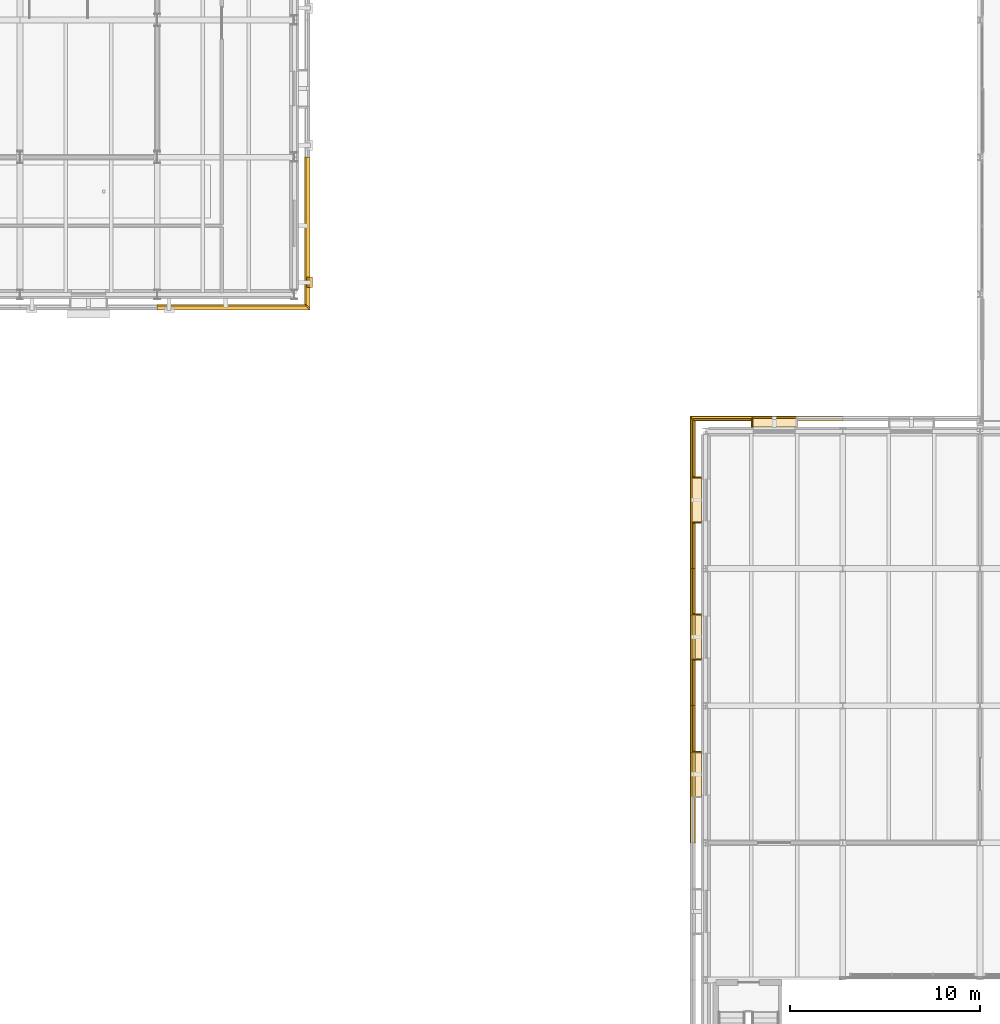
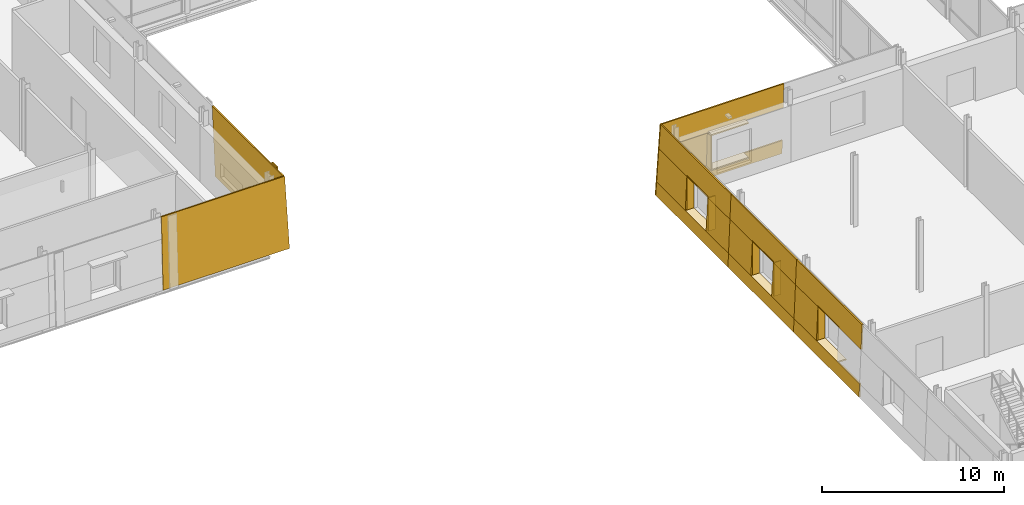
# One storey, part 107 of 121: 31 coverings.
"""IFC4 building model written with IfcOpenShell, lengths in metres."""

from ifc_helpers import new_model, si_unit, direction, frame, origin, place, context, subcontext, project, spatial, polyline, outline, extrude, material, layer, layer_set, type_object, element, save


model = new_model("IFC4")

# Units and contexts
model_context = context("Model", 3, precision=1e-05, world=origin(), true_north=direction((0.0, 1.0)))
body_context = subcontext(model_context, "Body", "Model", "MODEL_VIEW")
ifc_project = project(units=[si_unit("LENGTHUNIT", "METRE"), si_unit("AREAUNIT", "SQUARE_METRE"), si_unit("VOLUMEUNIT", "CUBIC_METRE"), si_unit("PLANEANGLEUNIT", "RADIAN"), si_unit("MASSUNIT", "GRAM", prefix="KILO")], contexts=[model_context])

# Site, building, storey
site_placement = place(None, origin())
site = spatial("IfcSite", under=ifc_project, at=site_placement, CompositionType="ELEMENT")
building_placement = place(site_placement, origin())
building = spatial("IfcBuilding", under=site, at=building_placement, Name="Narikvali Park Central Library", CompositionType="ELEMENT")
storey_placement = place(building_placement, frame((0.0, 0.0, 5.39990234375)))
storey = spatial("IfcBuildingStorey", under=building, at=storey_placement, Name="L01", CompositionType="ELEMENT", Elevation=5.39990234375)

# Coverings
ifc_material = material(Name="White Honed Limestone Cladding", Category="masonry")
ifc_layer_1 = layer(ifc_material, 0.0849609375, Name="White Honed Limestone Cladding")
ifc_layer_set_1 = layer_set([ifc_layer_1], Name="White Honed Limestone Cladding")
covering_type_1 = type_object("IfcCoveringType", Name="Battered White Limestone Facade Cladding Panel", PredefinedType="CLADDING", material=ifc_layer_set_1)
covering_1_placement = place(storey_placement, frame((93.60009765625, 56.781005859375, 0.0), z_axis=(0.0, -0.9991649228, 0.040858989773), x_axis=(1.0, 0.0, 0.0)))
element("IfcCovering", 1, at=covering_1_placement, inside=storey, type_object=covering_type_1, Name="V1 L01 S Battered Limestone Panel B05", PredefinedType="CLADDING", context=body_context, shape_type="SweptSolid", body=[
    extrude(outline(polyline([(0.0, 0.0), (8.018798828125, 0.0), (7.822509765625, 4.804060589588906), (0.0, 4.804060589588906), (0.0, 0.0)])), origin(), (0.0, 0.0, -1.0), 0.0849609375),
])
covering_2_placement = place(storey_placement, frame((101.759033203125, 57.949951171875, 0.0), z_axis=(0.999162846811, 0.0, 0.040909724413), x_axis=(0.0, 1.0, 0.0)))
element("IfcCovering", 2, at=covering_2_placement, inside=storey, type_object=covering_type_1, Name="V1 L01 E Classical Limestone Pilaster B01", PredefinedType="CLADDING", context=body_context, shape_type="SweptSolid", body=[
    extrude(outline(polyline([(0.0, 0.0), (0.550048828125, 0.0), (0.550048828125, 4.8040705711214065), (0.0, 4.8040705711214065), (0.0, 0.0)])), origin(), (0.0, 0.0, -1.0), 0.0849609375),
])
covering_3_placement = place(storey_placement, frame((101.618896484375, 56.865966796875, 0.0), z_axis=(0.9991649228, 0.0, 0.040858989773), x_axis=(0.0, 1.0, 0.0)))
element("IfcCovering", 3, at=covering_3_placement, inside=storey, type_object=covering_type_1, Name="V1 L01 E Battered Limestone Panel B01", PredefinedType="CLADDING", context=body_context, shape_type="SweptSolid", body=[
    extrude(outline(polyline([(0.0, 0.0), (7.93408203125, 0.0), (7.93408203125, 4.804060589588907), (0.196533203125, 4.804060589588907), (0.0, 0.0)])), origin(), (0.0, 0.0, -1.0), 0.0849609375),
])
covering_4_placement = place(storey_placement, frame((129.60009765625, 51.218994140625, 0.0), z_axis=(0.0, 0.999162409553, 0.040920402453), x_axis=(-1.0, 0.0, 0.0)))
element("IfcCovering", 4, at=covering_4_placement, inside=storey, type_object=covering_type_1, Name="V6 L01 N Battered Limestone Spandrel B06", PredefinedType="CLADDING", context=body_context, shape_type="SweptSolid", body=[
    extrude(outline(polyline([(0.0, 0.0), (8.01904296875, 0.0), (7.982177734375, 0.9009010705056333), (0.0, 0.9009010705056333), (0.0, 0.0)])), origin(), (0.0, 0.0, -1.0), 0.0849609375),
])
covering_5_placement = place(storey_placement, frame((129.60009765625, 51.090087890625, 3.150146484375), z_axis=(0.0, 0.999167069196, 0.040806468052), x_axis=(-1.0, 0.0, 0.0)))
element("IfcCovering", 5, at=covering_5_placement, inside=storey, type_object=covering_type_1, Name="V6 L01 N Battered Limestone Lintel B06", PredefinedType="CLADDING", context=body_context, shape_type="SweptSolid", body=[
    extrude(outline(polyline([(0.0, 0.0), (7.89013671875, 0.0), (7.82275390625, 1.651277743849336), (0.0, 1.651277743849336), (0.0, 0.0)])), origin(), (0.0, 0.0, -1.0), 0.0849609375),
])
covering_6_placement = place(storey_placement, frame((124.860107421875, 51.18212890625, 0.900146484375), z_axis=(0.0, 0.999164352475, 0.040872934124), x_axis=(-1.0, 0.0, 0.0)))
element("IfcCovering", 6, at=covering_6_placement, inside=storey, type_object=covering_type_1, Name="V6 L01 N Battered Limestone Jamb Pier R B06", PredefinedType="CLADDING", context=body_context, shape_type="SweptSolid", body=[
    extrude(outline(polyline([(0.0, 0.0), (3.2421875, 0.0), (3.150146484375, 2.2518817794363186), (0.0, 2.2518817794363186), (0.0, 0.0)])), origin(), (0.0, 0.0, -1.0), 0.0849609375),
])
covering_7_placement = place(storey_placement, frame((121.5810546875, 51.134033203125, 0.0), z_axis=(-0.999162409553, 0.0, 0.040920402453), x_axis=(0.0, -1.0, 0.0)))
element("IfcCovering", 7, at=covering_7_placement, inside=storey, type_object=covering_type_1, Name="V6 L01 W Battered Limestone Spandrel B01", PredefinedType="CLADDING", context=body_context, shape_type="SweptSolid", body=[
    extrude(outline(polyline([(0.0, 0.0), (7.93408203125, 0.0), (7.93408203125, 0.9009010705056333), (0.036865234375, 0.9009010705056333), (0.0, 0.0)])), origin(), (0.0, 0.0, -1.0), 0.0849609375),
])
covering_8_placement = place(storey_placement, frame((121.7099609375, 51.005126953125, 3.150146484375), z_axis=(-0.999167069196, 0.0, 0.040806468052), x_axis=(0.0, -1.0, 0.0)))
element("IfcCovering", 8, at=covering_8_placement, inside=storey, type_object=covering_type_1, Name="V6 L01 W Battered Limestone Lintel B01", PredefinedType="CLADDING", context=body_context, shape_type="SweptSolid", body=[
    extrude(outline(polyline([(0.0, 0.0), (7.80517578125, 0.0), (7.80517578125, 1.6512777438493358), (0.067626953125, 1.6512777438493358), (0.0, 0.0)])), origin(), (0.0, 0.0, -1.0), 0.0849609375),
])
covering_9_placement = place(storey_placement, frame((121.617919921875, 51.09716796875, 0.900146484375), z_axis=(-0.999164352475, 0.0, 0.040872934124), x_axis=(0.0, -1.0, 0.0)))
element("IfcCovering", 9, at=covering_9_placement, inside=storey, type_object=covering_type_1, Name="V6 L01 W Battered Limestone Jamb Pier L B01", PredefinedType="CLADDING", context=body_context, shape_type="SweptSolid", body=[
    extrude(outline(polyline([(0.0, 0.0), (3.1572265625, 0.0), (3.1572265625, 2.2518817794363186), (0.092041015625, 2.2518817794363186), (0.0, 0.0)])), origin(), (0.0, 0.0, -1.0), 0.0849609375),
])
covering_10_placement = place(storey_placement, frame((121.617919921875, 45.659912109375, 0.900146484375), z_axis=(-0.999164352475, 0.0, 0.040872934124), x_axis=(0.0, -1.0, 0.0)))
element("IfcCovering", 10, at=covering_10_placement, inside=storey, type_object=covering_type_1, Name="V6 L01 W Battered Limestone Jamb Pier R B01", PredefinedType="CLADDING", context=body_context, shape_type="SweptSolid", body=[
    extrude(outline(polyline([(0.0, 0.0), (2.4599609375, 0.0), (2.4599609375, 2.251881779436319), (0.0, 2.251881779436319), (0.0, 0.0)])), origin(), (0.0, 0.0, -1.0), 0.0849609375),
])
covering_11_placement = place(storey_placement, frame((121.5810546875, 43.199951171875, 0.0), z_axis=(-0.999162409553, 0.0, 0.040920402453), x_axis=(0.0, -1.0, 0.0)))
element("IfcCovering", 11, at=covering_11_placement, inside=storey, type_object=covering_type_1, Name="V6 L01 W Battered Limestone Spandrel B02", PredefinedType="CLADDING", context=body_context, shape_type="SweptSolid", body=[
    extrude(outline(polyline([(0.0, 0.0), (7.199951171875, 0.0), (7.199951171875, 0.9009010705056333), (0.0, 0.9009010705056333), (0.0, 0.0)])), origin(), (0.0, 0.0, -1.0), 0.0849609375),
])
covering_12_placement = place(storey_placement, frame((121.7099609375, 43.199951171875, 3.150146484375), z_axis=(-0.999167069196, 0.0, 0.040806468052), x_axis=(0.0, -1.0, 0.0)))
element("IfcCovering", 12, at=covering_12_placement, inside=storey, type_object=covering_type_1, Name="V6 L01 W Battered Limestone Lintel B02", PredefinedType="CLADDING", context=body_context, shape_type="SweptSolid", body=[
    extrude(outline(polyline([(0.0, 0.0), (7.199951171875, 0.0), (7.199951171875, 1.651277743849336), (0.0, 1.651277743849336), (0.0, 0.0)])), origin(), (0.0, 0.0, -1.0), 0.0849609375),
])
for number, where, z_axis, x_axis, name in (
    (13, (121.617919921875, 43.199951171875, 0.900146484375), (-0.999164352475, 0.0, 0.040872934124), (0.0, -1.0, 0.0), "V6 L01 W Battered Limestone Jamb Pier L B02"),
    (14, (121.617919921875, 38.4599609375, 0.900146484375), (-0.999164352475, 0.0, 0.040872934124), (0.0, -1.0, 0.0), "V6 L01 W Battered Limestone Jamb Pier R B02"),
):
    element("IfcCovering", number, at=place(storey_placement, frame(where, z_axis=z_axis, x_axis=x_axis)), inside=storey, type_object=covering_type_1, Name=name, PredefinedType="CLADDING", context=body_context, shape_type="SweptSolid", body=[
        extrude(outline(polyline([(0.0, 0.0), (2.4599609375, 0.0), (2.4599609375, 2.251881779436319), (0.0, 2.251881779436319), (0.0, 0.0)])), origin(), (0.0, 0.0, -1.0), 0.0849609375),
    ])
covering_13_placement = place(storey_placement, frame((121.5810546875, 36.0, 0.0), z_axis=(-0.999162409553, 0.0, 0.040920402453), x_axis=(0.0, -1.0, 0.0)))
element("IfcCovering", 15, at=covering_13_placement, inside=storey, type_object=covering_type_1, Name="V6 L01 W Battered Limestone Spandrel B03", PredefinedType="CLADDING", context=body_context, shape_type="SweptSolid", body=[
    extrude(outline(polyline([(0.0, 0.0), (7.199951171875, 0.0), (7.199951171875, 0.9009010705056333), (0.0, 0.9009010705056333), (0.0, 0.0)])), origin(), (0.0, 0.0, -1.0), 0.0849609375),
])
covering_14_placement = place(storey_placement, frame((121.7099609375, 36.0, 3.150146484375), z_axis=(-0.999167069196, 0.0, 0.040806468052), x_axis=(0.0, -1.0, 0.0)))
element("IfcCovering", 16, at=covering_14_placement, inside=storey, type_object=covering_type_1, Name="V6 L01 W Battered Limestone Lintel B03", PredefinedType="CLADDING", context=body_context, shape_type="SweptSolid", body=[
    extrude(outline(polyline([(0.0, 0.0), (7.199951171875, 0.0), (7.199951171875, 1.651277743849336), (0.0, 1.651277743849336), (0.0, 0.0)])), origin(), (0.0, 0.0, -1.0), 0.0849609375),
])
covering_15_placement = place(storey_placement, frame((121.617919921875, 36.0, 0.900146484375), z_axis=(-0.999164352475, 0.0, 0.040872934124), x_axis=(0.0, -1.0, 0.0)))
element("IfcCovering", 17, at=covering_15_placement, inside=storey, type_object=covering_type_1, Name="V6 L01 W Battered Limestone Jamb Pier L B03", PredefinedType="CLADDING", context=body_context, shape_type="SweptSolid", body=[
    extrude(outline(polyline([(0.0, 0.0), (2.4599609375, 0.0), (2.4599609375, 2.251881779436319), (0.0, 2.251881779436319), (0.0, 0.0)])), origin(), (0.0, 0.0, -1.0), 0.0849609375),
])
ifc_layer_2 = layer(ifc_material, 0.080078125, Name="White Honed Limestone Cladding")
ifc_layer_set_2 = layer_set([ifc_layer_2], Name="White Honed Limestone Cladding")
covering_type_2 = type_object("IfcCoveringType", Name="Deep Carved White Limestone Window Reveal", PredefinedType="CLADDING", material=ifc_layer_set_2)
covering_16_placement = place(storey_placement, frame((0.0, 0.0, 3.150146484375)))
element("IfcCovering", 18, at=covering_16_placement, inside=storey, type_object=covering_type_2, Name="Deep Stone Reveal Head V6-RVL-L01-N-B06", PredefinedType="CLADDING", context=body_context, shape_type="SweptSolid", body=[
    extrude(outline(polyline([(127.179931640625, 50.625), (124.820068359375, 50.625), (124.820068359375, 51.090087890625), (127.179931640625, 51.090087890625), (127.179931640625, 50.625)])), origin(), (0.0, 0.0, 1.0), 0.079833984375),
])
covering_17_placement = place(storey_placement, frame((0.0, 0.0, 0.820068359375)))
element("IfcCovering", 19, at=covering_17_placement, inside=storey, type_object=covering_type_2, Name="Deep Stone Reveal Sill V6-RVL-L01-N-B06", PredefinedType="CLADDING", context=body_context, shape_type="SweptSolid", body=[
    extrude(outline(polyline([(127.179931640625, 50.625), (124.820068359375, 50.625), (124.820068359375, 51.18212890625), (127.179931640625, 51.18212890625), (127.179931640625, 50.625)])), origin(), (0.0, 0.0, 1.0), 0.080078125),
])
covering_18_placement = place(storey_placement, frame((0.0, 0.0, 0.900146484375)))
element("IfcCovering", 20, at=covering_18_placement, inside=storey, type_object=covering_type_2, Name="Deep Stone Reveal Jamb R V6-RVL-L01-N-B06", PredefinedType="CLADDING", context=body_context, shape_type="SweptSolid", body=[
    extrude(outline(polyline([(124.860107421875, 50.625), (124.780029296875, 50.625), (124.780029296875, 51.090087890625), (124.860107421875, 51.090087890625), (124.860107421875, 50.625)])), origin(), (0.0, 0.0, 1.0), 2.25),
])
covering_19_placement = place(storey_placement, frame((0.0, 0.0, 3.150146484375)))
element("IfcCovering", 21, at=covering_19_placement, inside=storey, type_object=covering_type_2, Name="Deep Stone Reveal Head V6-RVL-L01-W-B01", PredefinedType="CLADDING", context=body_context, shape_type="SweptSolid", body=[
    extrude(outline(polyline([(122.175048828125, 47.97998046875), (122.175048828125, 45.6201171875), (121.7099609375, 45.6201171875), (121.7099609375, 47.97998046875), (122.175048828125, 47.97998046875)])), origin(), (0.0, 0.0, 1.0), 0.079833984375),
])
covering_20_placement = place(storey_placement, frame((0.0, 0.0, 0.820068359375)))
element("IfcCovering", 22, at=covering_20_placement, inside=storey, type_object=covering_type_2, Name="Deep Stone Reveal Sill V6-RVL-L01-W-B01", PredefinedType="CLADDING", context=body_context, shape_type="SweptSolid", body=[
    extrude(outline(polyline([(122.175048828125, 47.97998046875), (122.175048828125, 45.6201171875), (121.617919921875, 45.6201171875), (121.617919921875, 47.97998046875), (122.175048828125, 47.97998046875)])), origin(), (0.0, 0.0, 1.0), 0.080078125),
])
covering_21_placement = place(storey_placement, frame((0.0, 0.0, 0.900146484375)))
element("IfcCovering", 23, at=covering_21_placement, inside=storey, type_object=covering_type_2, Name="Deep Stone Reveal Jamb L V6-RVL-L01-W-B01", PredefinedType="CLADDING", context=body_context, shape_type="SweptSolid", body=[
    extrude(outline(polyline([(122.175048828125, 48.02001953125), (122.175048828125, 47.93994140625), (121.7099609375, 47.93994140625), (121.7099609375, 48.02001953125), (122.175048828125, 48.02001953125)])), origin(), (0.0, 0.0, 1.0), 2.25),
])
covering_22_placement = place(storey_placement, frame((0.0, 0.0, 0.900146484375)))
element("IfcCovering", 24, at=covering_22_placement, inside=storey, type_object=covering_type_2, Name="Deep Stone Reveal Jamb R V6-RVL-L01-W-B01", PredefinedType="CLADDING", context=body_context, shape_type="SweptSolid", body=[
    extrude(outline(polyline([(122.175048828125, 45.659912109375), (122.175048828125, 45.580078125), (121.7099609375, 45.580078125), (121.7099609375, 45.659912109375), (122.175048828125, 45.659912109375)])), origin(), (0.0, 0.0, 1.0), 2.25),
])
covering_23_placement = place(storey_placement, frame((0.0, 0.0, 3.150146484375)))
element("IfcCovering", 25, at=covering_23_placement, inside=storey, type_object=covering_type_2, Name="Deep Stone Reveal Head V6-RVL-L01-W-B02", PredefinedType="CLADDING", context=body_context, shape_type="SweptSolid", body=[
    extrude(outline(polyline([(122.175048828125, 40.780029296875), (122.175048828125, 38.419921875), (121.7099609375, 38.419921875), (121.7099609375, 40.780029296875), (122.175048828125, 40.780029296875)])), origin(), (0.0, 0.0, 1.0), 0.079833984375),
])
covering_24_placement = place(storey_placement, frame((0.0, 0.0, 0.820068359375)))
element("IfcCovering", 26, at=covering_24_placement, inside=storey, type_object=covering_type_2, Name="Deep Stone Reveal Sill V6-RVL-L01-W-B02", PredefinedType="CLADDING", context=body_context, shape_type="SweptSolid", body=[
    extrude(outline(polyline([(122.175048828125, 40.780029296875), (122.175048828125, 38.419921875), (121.617919921875, 38.419921875), (121.617919921875, 40.780029296875), (122.175048828125, 40.780029296875)])), origin(), (0.0, 0.0, 1.0), 0.080078125),
])
covering_25_placement = place(storey_placement, frame((0.0, 0.0, 0.900146484375)))
element("IfcCovering", 27, at=covering_25_placement, inside=storey, type_object=covering_type_2, Name="Deep Stone Reveal Jamb L V6-RVL-L01-W-B02", PredefinedType="CLADDING", context=body_context, shape_type="SweptSolid", body=[
    extrude(outline(polyline([(122.175048828125, 40.820068359375), (122.175048828125, 40.739990234375), (121.7099609375, 40.739990234375), (121.7099609375, 40.820068359375), (122.175048828125, 40.820068359375)])), origin(), (0.0, 0.0, 1.0), 2.25),
])
covering_26_placement = place(storey_placement, frame((0.0, 0.0, 0.900146484375)))
element("IfcCovering", 28, at=covering_26_placement, inside=storey, type_object=covering_type_2, Name="Deep Stone Reveal Jamb R V6-RVL-L01-W-B02", PredefinedType="CLADDING", context=body_context, shape_type="SweptSolid", body=[
    extrude(outline(polyline([(122.175048828125, 38.4599609375), (122.175048828125, 38.3798828125), (121.7099609375, 38.3798828125), (121.7099609375, 38.4599609375), (122.175048828125, 38.4599609375)])), origin(), (0.0, 0.0, 1.0), 2.25),
])
covering_27_placement = place(storey_placement, frame((0.0, 0.0, 3.150146484375)))
element("IfcCovering", 29, at=covering_27_placement, inside=storey, type_object=covering_type_2, Name="Deep Stone Reveal Head V6-RVL-L01-W-B03", PredefinedType="CLADDING", context=body_context, shape_type="SweptSolid", body=[
    extrude(outline(polyline([(122.175048828125, 33.580078125), (122.175048828125, 31.219970703125), (121.7099609375, 31.219970703125), (121.7099609375, 33.580078125), (122.175048828125, 33.580078125)])), origin(), (0.0, 0.0, 1.0), 0.079833984375),
])
covering_28_placement = place(storey_placement, frame((0.0, 0.0, 0.820068359375)))
element("IfcCovering", 30, at=covering_28_placement, inside=storey, type_object=covering_type_2, Name="Deep Stone Reveal Sill V6-RVL-L01-W-B03", PredefinedType="CLADDING", context=body_context, shape_type="SweptSolid", body=[
    extrude(outline(polyline([(122.175048828125, 33.580078125), (122.175048828125, 31.219970703125), (121.617919921875, 31.219970703125), (121.617919921875, 33.580078125), (122.175048828125, 33.580078125)])), origin(), (0.0, 0.0, 1.0), 0.080078125),
])
covering_29_placement = place(storey_placement, frame((0.0, 0.0, 0.900146484375)))
element("IfcCovering", 31, at=covering_29_placement, inside=storey, type_object=covering_type_2, Name="Deep Stone Reveal Jamb L V6-RVL-L01-W-B03", PredefinedType="CLADDING", context=body_context, shape_type="SweptSolid", body=[
    extrude(outline(polyline([(122.175048828125, 33.6201171875), (122.175048828125, 33.5400390625), (121.7099609375, 33.5400390625), (121.7099609375, 33.6201171875), (122.175048828125, 33.6201171875)])), origin(), (0.0, 0.0, 1.0), 2.25),
])

save(model, "model.ifc")
